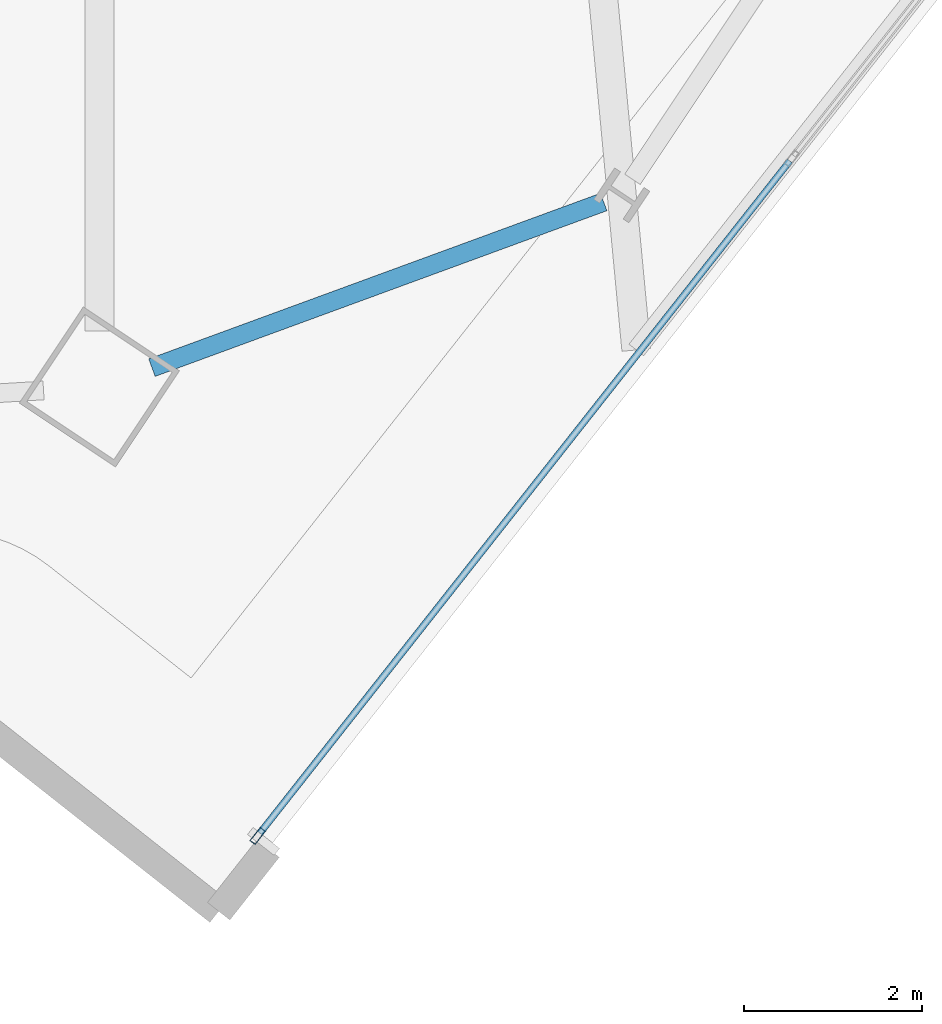
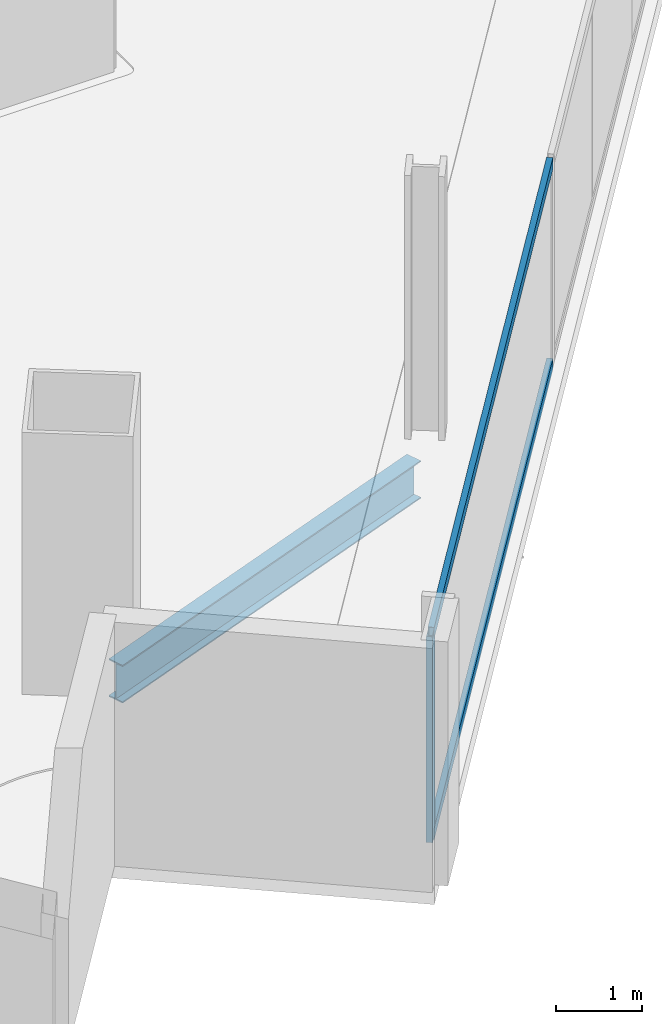
# One storey, part 8 of 28: 3 members, 1 beam, 1 element without a shape of its own.
"""IFC4 building model written with IfcOpenShell, lengths in metres."""

from ifc_helpers import new_model, si_unit, direction, frame, origin, origin_2d, place, context, subcontext, project, spatial, hollow_rectangle, i_section, extrude, material, material_profile, profile_set, type_object, element, aggregate, save


model = new_model("IFC4")

# Units and contexts
model_context = context("Model", 3, precision=1e-05, world=origin(), true_north=direction((0.0, 1.0)))
body_context = subcontext(model_context, "Body", "Model", "MODEL_VIEW")
ifc_project = project(units=[si_unit("LENGTHUNIT", "METRE"), si_unit("AREAUNIT", "SQUARE_METRE"), si_unit("VOLUMEUNIT", "CUBIC_METRE"), si_unit("PLANEANGLEUNIT", "RADIAN"), si_unit("MASSUNIT", "GRAM", prefix="KILO")], contexts=[model_context])

# Site, building, storey
site_placement = place(None, origin())
site = spatial("IfcSite", under=ifc_project, at=site_placement, CompositionType="ELEMENT")
building_placement = place(site_placement, origin())
building = spatial("IfcBuilding", under=site, at=building_placement, Name="Haldenkirk Collegiate Tower", CompositionType="ELEMENT")
storey_placement = place(building_placement, frame((0.0, 0.0, 202.199951171875)))
storey = spatial("IfcBuildingStorey", under=building, at=storey_placement, Name="L50", CompositionType="ELEMENT", Elevation=202.199951171875)

# Beam
ifc_material_1 = material(Name="Steel ASTM A992 Grade 50", Category="steel")
ifc_material_profile_1 = material_profile(ifc_material_1, i_section(OverallWidth=0.2099609375, OverallDepth=0.537109375, WebThickness=0.010986328125, FlangeThickness=0.017333984375, at=origin_2d()), Name="W21X68")
ifc_profile_set_1 = profile_set([ifc_material_profile_1], Name="Steel ASTM A992 Grade 50")
beam_type = type_object("IfcBeamType", Name="BM-SPANDREL-W21X68", PredefinedType="SPANDREL", material=ifc_profile_set_1)
beam_placement = place(storey_placement, frame((41.07421875, 1.5498046875, -0.54833984375), z_axis=(0.938836975249, 0.344361922843, 0.0), x_axis=(-0.344361922843, 0.938836975249, 0.0)))
element("IfcBeam", 1, at=beam_placement, inside=storey, type_object=beam_type, Name="L50 perimeter spandrel beam 01", PredefinedType="SPANDREL", context=body_context, shape_type="SweptSolid", body=[
    extrude(i_section(OverallWidth=0.2099609375, OverallDepth=0.537109375, WebThickness=0.010986328125, FlangeThickness=0.017333984375, at=origin_2d()), origin(), (0.0, 0.0, 1.0), 5.41650390625),
])

# Curtain wall, members
ifc_material_2 = material(Name="Anodised architectural bronze aluminium", Category="aluminium")
curtain_wall_type = type_object("IfcCurtainWallType", Name="CW-SYS2-CONCAVE", PredefinedType="USERDEFINED", material=ifc_material_2)
curtain_wall_placement = place(storey_placement, origin())
curtain_wall = element("IfcCurtainWall", 2, at=curtain_wall_placement, inside=storey, type_object=curtain_wall_type, Name="L50 South concave recessed bronze-anodised curtain wall", ObjectType="UNITISED CURTAIN WALL", PredefinedType="USERDEFINED")
ifc_material_profile_2 = material_profile(ifc_material_2, hollow_rectangle(XDim=0.074951171875, YDim=0.18994140625, WallThickness=0.0048828125, at=origin_2d()), Name="CW-MUL-02")
ifc_profile_set_2 = profile_set([ifc_material_profile_2], Name="Anodised architectural bronze aluminium")
member_type_1 = type_object("IfcMemberType", Name="CW-MUL-02", PredefinedType="MULLION", material=ifc_profile_set_2)
member_1_placement = place(storey_placement, frame((42.264404296875, -3.721435546875, 0.0), z_axis=(0.0, 0.0, 1.0), x_axis=(0.7853168725, -0.619094023365, 0.0)))
member_1 = element("IfcMember", 3, at=member_1_placement, type_object=member_type_1, Name="CW-02 mullion 5", PredefinedType="MULLION", context=body_context, shape_type="SweptSolid", body=[
    extrude(hollow_rectangle(XDim=0.074951171875, YDim=0.18994140625, WallThickness=0.0048828125, at=origin_2d()), origin(), (0.0, 0.0, 1.0), 2.927978515625),
])
ifc_material_profile_3 = material_profile(ifc_material_2, hollow_rectangle(XDim=0.074951171875, YDim=0.159912109375, WallThickness=0.0048828125, at=origin_2d()), Name="CW-TRN-02")
ifc_profile_set_3 = profile_set([ifc_material_profile_3], Name="Anodised architectural bronze aluminium")
member_type_2 = type_object("IfcMemberType", Name="CW-TRN-02", PredefinedType="USERDEFINED", material=ifc_profile_set_3)
member_2_placement = place(storey_placement, frame((48.254150390625, 3.87646484375, 0.03759765625), z_axis=(-0.61909054651, -0.78531961342, 0.0), x_axis=(0.78531961342, -0.61909054651, 0.0)))
member_2 = element("IfcMember", 4, at=member_2_placement, type_object=member_type_2, Name="CW-02 transom 4.1", ObjectType="TRANSOM", PredefinedType="USERDEFINED", context=body_context, shape_type="SweptSolid", body=[
    extrude(hollow_rectangle(XDim=0.074951171875, YDim=0.159912109375, WallThickness=0.0048828125, at=origin_2d()), origin(), (0.0, 0.0, 1.0), 9.6376953125),
])
member_3_placement = place(storey_placement, frame((48.254150390625, 3.87646484375, 2.890625), z_axis=(-0.61909054651, -0.78531961342, 0.0), x_axis=(0.78531961342, -0.61909054651, 0.0)))
member_3 = element("IfcMember", 5, at=member_3_placement, type_object=member_type_2, Name="CW-02 transom 4.2", ObjectType="TRANSOM", PredefinedType="USERDEFINED", context=body_context, shape_type="SweptSolid", body=[
    extrude(hollow_rectangle(XDim=0.074951171875, YDim=0.159912109375, WallThickness=0.0048828125, at=origin_2d()), origin(), (0.0, 0.0, 1.0), 9.6376953125),
])
aggregate(curtain_wall, [member_1, member_2, member_3])

save(model, "model.ifc")
